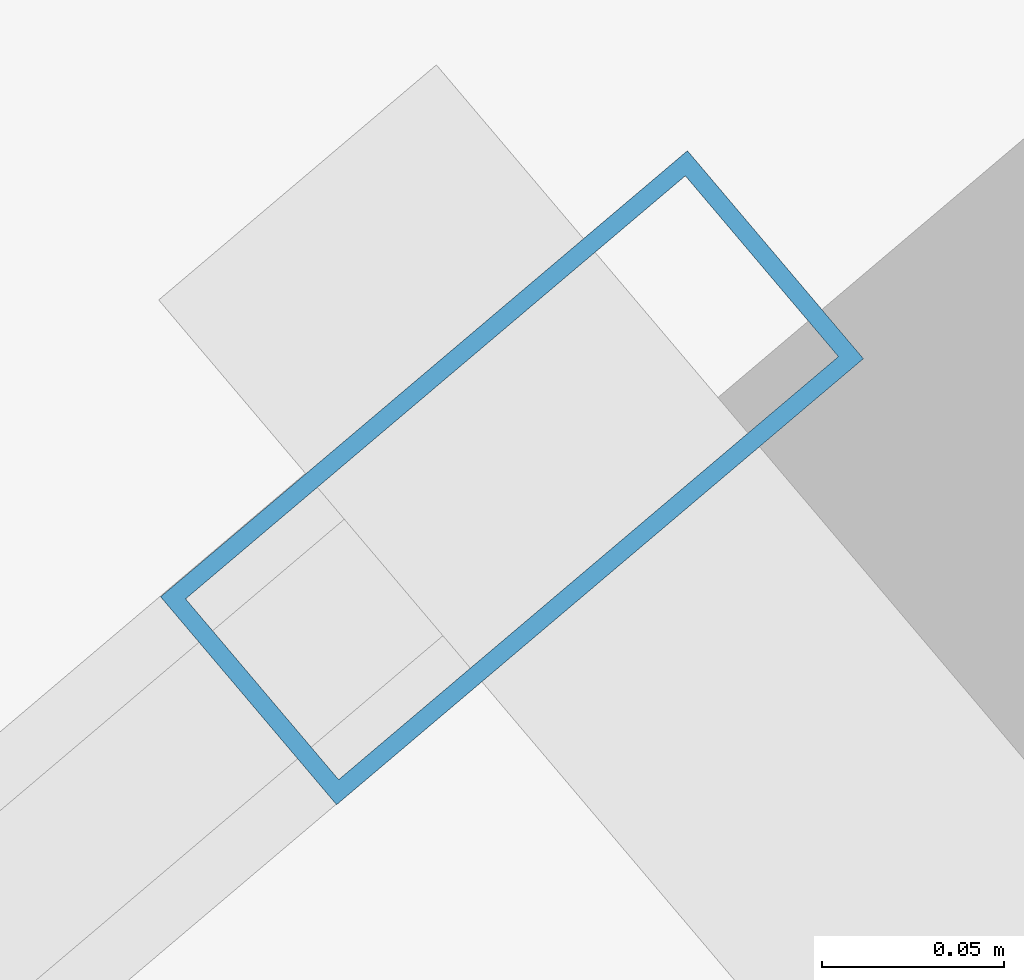
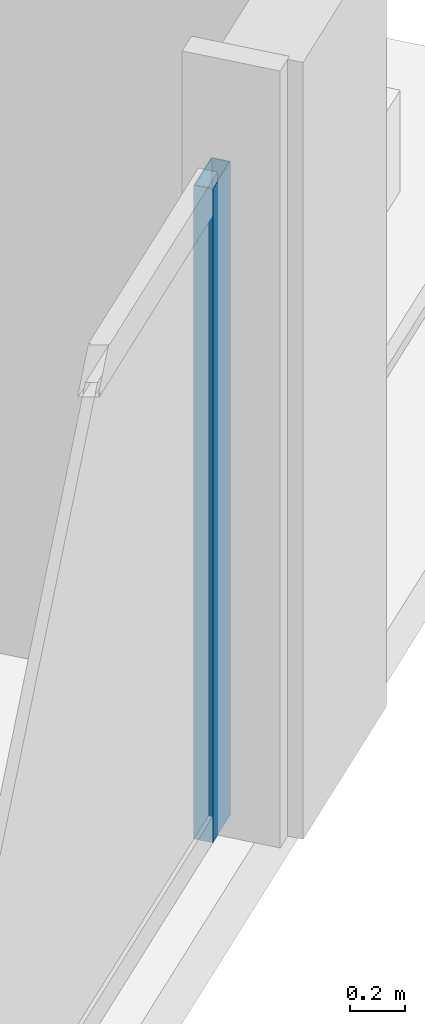
# One storey, part 13 of 34: 1 member, 1 element without a shape of its own.
"""IFC4 building model written with IfcOpenShell, lengths in metres."""

import ifcopenshell
import ifcopenshell.guid

model = None  # the IFC model being written
_history = None  # IfcOwnerHistory: only IFC2X3 demands one
_inside = {}  # id of a spatial element -> (the spatial element, [elements in it])
_under = {}  # id of a project, library or spatial element -> (it, [spatial elements below it])
_declared = {}  # id of a project -> (the project, [libraries it declares])
_typed = {}  # id of a type object -> (the type object, [elements of that type])
_made_of = {}  # id of a material, layer set ... -> (it, [elements and type objects made of it])


def new_model(schema):
    """Start an empty IFC model of exactly this schema.

    Asked for "IFC4X3", IfcOpenShell would pick the latest addendum, in which some entities
    have other attributes; the version numbers below select the first issue.
    IFC2X3 requires an IfcOwnerHistory on every rooted entity: one is made here for all.
    """
    global model, _history
    if schema == "IFC4X3":
        model = ifcopenshell.file(schema_version=(4, 3, 0, 0))
    else:
        model = ifcopenshell.file(schema=schema)
    _inside.clear()
    _under.clear()
    _declared.clear()
    _typed.clear()
    _made_of.clear()
    _history = None
    if model.schema == "IFC2X3":
        org = make("IfcOrganization", Name="unknown")
        user = make(
            "IfcPersonAndOrganization",
            ThePerson=make("IfcPerson", FamilyName="unknown"),
            TheOrganization=org,
        )
        app = make(
            "IfcApplication",
            ApplicationDeveloper=org,
            Version="unknown",
            ApplicationFullName="unknown",
            ApplicationIdentifier="unknown",
        )
        _history = make(
            "IfcOwnerHistory",
            OwningUser=user,
            OwningApplication=app,
            ChangeAction="ADDED",
            CreationDate=0,
        )
    return model


def make(cls, **values):
    """One entity of the class cls with the attributes given. An attribute that is None is left unset."""
    return model.create_entity(
        cls, **{name: value for name, value in values.items() if value is not None}
    )


def rooted(cls, **values):
    """An entity with a GlobalId (a new one), such as an element, a storey or a relation."""
    return make(cls, GlobalId=ifcopenshell.guid.new(), OwnerHistory=_history, **values)


def si_unit(unit_type, name, prefix=None):
    """IfcSIUnit, for example si_unit("LENGTHUNIT", "METRE", prefix="MILLI")."""
    return make("IfcSIUnit", UnitType=unit_type, Prefix=prefix, Name=name)


def assignment(units):
    """IfcUnitAssignment: the units of a project."""
    return None if units is None else make("IfcUnitAssignment", Units=units)


def point(xyz):
    """IfcCartesianPoint."""
    return None if xyz is None else make("IfcCartesianPoint", Coordinates=xyz)


def direction(xyz):
    """IfcDirection."""
    return None if xyz is None else make("IfcDirection", DirectionRatios=xyz)


def frame(location, z_axis=None, x_axis=None):
    """IfcAxis2Placement3D, a coordinate frame: its origin and axes. An axis left out is left unset."""
    return make(
        "IfcAxis2Placement3D",
        Location=point(location),
        Axis=direction(z_axis),
        RefDirection=direction(x_axis),
    )


def frame_2d(location, x_axis=None):
    """IfcAxis2Placement2D, a coordinate frame in the plane: its origin and x axis."""
    return make(
        "IfcAxis2Placement2D", Location=point(location), RefDirection=direction(x_axis)
    )


def origin():
    """The frame at (0, 0, 0) with its axes left unset."""
    return frame((0.0, 0.0, 0.0))


def origin_2d():
    """The frame at (0, 0) in the plane with its x axis left unset."""
    return frame_2d((0.0, 0.0))


def place(relative_to, where):
    """IfcLocalPlacement: puts the frame where relative to a parent placement (None: the world)."""
    return make(
        "IfcLocalPlacement", PlacementRelTo=relative_to, RelativePlacement=where
    )


def context(
    kind, dimensions, precision=None, world=None, true_north=None, identifier=None
):
    """IfcGeometricRepresentationContext, for example the 3D "Model" context."""
    return make(
        "IfcGeometricRepresentationContext",
        ContextIdentifier=identifier,
        ContextType=kind,
        CoordinateSpaceDimension=dimensions,
        Precision=precision,
        WorldCoordinateSystem=world,
        TrueNorth=true_north,
    )


def subcontext(parent, identifier, kind, view, scale=None):
    """IfcGeometricRepresentationSubContext, for example "Body" below "Model"."""
    return make(
        "IfcGeometricRepresentationSubContext",
        ContextIdentifier=identifier,
        ContextType=kind,
        ParentContext=parent,
        TargetScale=scale,
        TargetView=view,
    )


def project(units=None, contexts=None):
    """IfcProject with its units and contexts."""
    return rooted(
        "IfcProject",
        Name="project",
        RepresentationContexts=contexts,
        UnitsInContext=assignment(units),
    )


def spatial(cls, under=None, at=None, **own):
    """A site, building, storey or space (cls), placed at a placement, below another one or the project."""
    s = rooted(cls, ObjectPlacement=at, **own)
    if under is not None:
        _under.setdefault(under.id(), (under, []))[1].append(s)
    return s


def profile(cls, at=None, kind="AREA", **sizes):
    """A parametric profile (cls). Its sizes go by their IFC names, for example OverallWidth=200.0."""
    return make(cls, ProfileType=kind, Position=at, **sizes)


def hollow_rectangle(**sizes):
    """IfcRectangleHollowProfileDef."""
    return profile("IfcRectangleHollowProfileDef", **sizes)


def extrude(swept, where, along, depth):
    """IfcExtrudedAreaSolid: the profile swept, set in the frame where, extruded along a direction by depth."""
    return make(
        "IfcExtrudedAreaSolid",
        SweptArea=swept,
        Position=where,
        ExtrudedDirection=direction(along),
        Depth=depth,
    )


def shape(context_of_items, identifier, shape_type, items):
    """IfcShapeRepresentation: the items that make up one representation, for example the "Body"."""
    return make(
        "IfcShapeRepresentation",
        ContextOfItems=context_of_items,
        RepresentationIdentifier=identifier,
        RepresentationType=shape_type,
        Items=items,
    )


def material(Name=None, Category=None):
    """IfcMaterial."""
    return make("IfcMaterial", Name=Name, Category=Category)


def material_profile(
    of_material, cross_section, Name=None, Category=None, Priority=None
):
    """IfcMaterialProfile: a cross section and its material."""
    return make(
        "IfcMaterialProfile",
        Name=Name,
        Material=of_material,
        Profile=cross_section,
        Priority=Priority,
        Category=Category,
    )


def profile_set(profiles, Name=None, composite=None):
    """IfcMaterialProfileSet."""
    return make(
        "IfcMaterialProfileSet",
        Name=Name,
        MaterialProfiles=profiles,
        CompositeProfile=composite,
    )


def made_of(thing, what):
    """Note that an element or type object is made of a material, layer set ...; save() writes the relation."""
    if what is not None:
        _made_of.setdefault(what.id(), (what, []))[1].append(thing)
    return thing


def type_object(cls, material=None, **own):
    """A type object (cls), such as IfcWallType, which elements share."""
    return made_of(rooted(cls, **own), material)


def element(
    cls,
    number,
    at=None,
    inside=None,
    cuts=None,
    type_object=None,
    material=None,
    context=None,
    identifier="Body",
    shape_type=None,
    held_by="IfcProductDefinitionShape",
    body=None,
    shapes=None,
    **own,
):
    """One element of the class cls, such as IfcWall. Its Tag is "e" and its number.

    at: its placement. inside: the storey or other place that contains it. cuts: it is an
    opening in that element (IfcRelVoidsElement). A single representation is given by context,
    identifier, shape_type and body (its items); several are given by shapes. held_by: the class
    of the entity that holds the representations. save() writes the other relations.
    """
    e = rooted(cls, Tag="e%d" % number, ObjectPlacement=at, **own)
    if body is not None:
        shapes = [shape(context, identifier, shape_type, body)]
    if shapes is not None:
        e.Representation = make(held_by, Representations=shapes)
    if inside is not None:
        _inside.setdefault(inside.id(), (inside, []))[1].append(e)
    if cuts is not None:
        rooted(
            "IfcRelVoidsElement", RelatingBuildingElement=cuts, RelatedOpeningElement=e
        )
    if type_object is not None:
        _typed.setdefault(type_object.id(), (type_object, []))[1].append(e)
    return made_of(e, material)


def aggregate(whole, parts):
    """IfcRelAggregates: a whole, such as a stair, and the parts it consists of."""
    return rooted("IfcRelAggregates", RelatingObject=whole, RelatedObjects=parts)


def save(model, path):
    """Write the relations noted so far, then the file.

    IfcRelAggregates (storeys below a building ...), IfcRelContainedInSpatialStructure (elements
    in a storey), IfcRelDefinesByType, IfcRelAssociatesMaterial and IfcRelDeclares: one each for
    every whole, place, type object, material and project.
    """
    for whole, parts in _under.values():
        aggregate(whole, parts)
    for where, things in _inside.values():
        rooted(
            "IfcRelContainedInSpatialStructure",
            RelatedElements=things,
            RelatingStructure=where,
        )
    for kind, things in _typed.values():
        rooted("IfcRelDefinesByType", RelatedObjects=things, RelatingType=kind)
    for what, things in _made_of.values():
        rooted("IfcRelAssociatesMaterial", RelatedObjects=things, RelatingMaterial=what)
    for by, libraries in _declared.values():
        rooted("IfcRelDeclares", RelatingContext=by, RelatedDefinitions=libraries)
    model.write(path)


model = new_model("IFC4")

# Units and contexts
model_context = context("Model", 3, precision=1e-05, world=origin(), true_north=direction((0.0, 1.0)))
body_context = subcontext(model_context, "Body", "Model", "MODEL_VIEW")
ifc_project = project(units=[si_unit("LENGTHUNIT", "METRE"), si_unit("AREAUNIT", "SQUARE_METRE"), si_unit("VOLUMEUNIT", "CUBIC_METRE"), si_unit("PLANEANGLEUNIT", "RADIAN"), si_unit("MASSUNIT", "GRAM", prefix="KILO")], contexts=[model_context])

# Site, building, storey
site_placement = place(None, origin())
site = spatial("IfcSite", under=ifc_project, at=site_placement, CompositionType="ELEMENT")
building_placement = place(site_placement, origin())
building = spatial("IfcBuilding", under=site, at=building_placement, Name="Haldenkirk Collegiate Tower", CompositionType="ELEMENT")
storey_placement = place(building_placement, frame((0.0, 0.0, 163.199951171875)))
storey = spatial("IfcBuildingStorey", under=building, at=storey_placement, Name="L40", CompositionType="ELEMENT", Elevation=163.199951171875)

# Curtain wall, member
ifc_material = material(Name="Anodised architectural bronze aluminium", Category="aluminium")
curtain_wall_type = type_object("IfcCurtainWallType", Name="CW-SYS2-CONCAVE", PredefinedType="USERDEFINED", material=ifc_material)
curtain_wall_placement = place(storey_placement, origin())
curtain_wall = element("IfcCurtainWall", 1, at=curtain_wall_placement, inside=storey, type_object=curtain_wall_type, Name="L40 South concave recessed bronze-anodised curtain wall", ObjectType="UNITISED CURTAIN WALL", PredefinedType="USERDEFINED")
ifc_material_profile = material_profile(ifc_material, hollow_rectangle(XDim=0.074951171875, YDim=0.18994140625, WallThickness=0.0048828125, at=origin_2d()), Name="CW-MUL-02")
ifc_profile_set = profile_set([ifc_material_profile], Name="Anodised architectural bronze aluminium")
member_type = type_object("IfcMemberType", Name="CW-MUL-02", PredefinedType="MULLION", material=ifc_profile_set)
member_placement = place(storey_placement, frame((66.4755859375, 20.8193359375, 0.0), z_axis=(0.0, 0.0, 1.0), x_axis=(0.646124454254, -0.763232067994, 0.0)))
member = element("IfcMember", 2, at=member_placement, type_object=member_type, Name="CW-02 mullion 1", PredefinedType="MULLION", context=body_context, shape_type="SweptSolid", body=[
    extrude(hollow_rectangle(XDim=0.074951171875, YDim=0.18994140625, WallThickness=0.0048828125, at=origin_2d()), origin(), (0.0, 0.0, 1.0), 2.9111328125),
])
aggregate(curtain_wall, [member])

save(model, "model.ifc")
